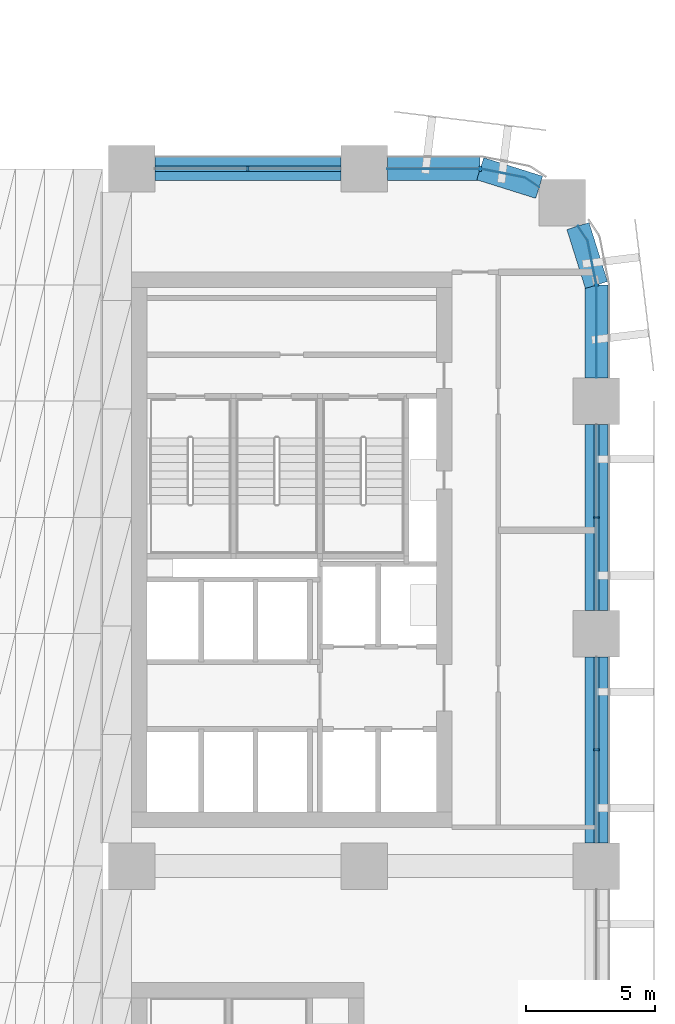
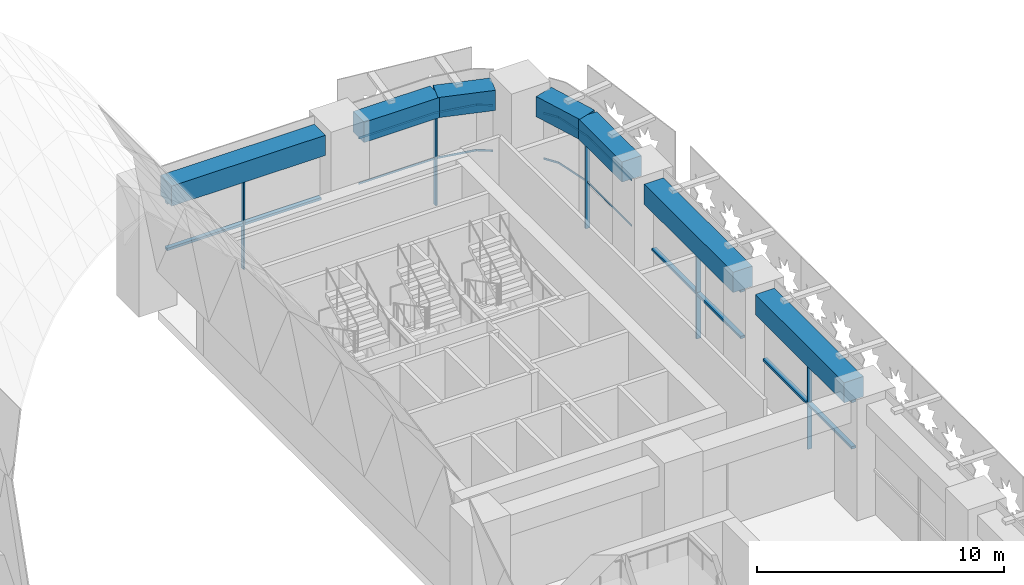
# One storey, part 9 of 46: 15 members, 7 beams, 5 elements without a shape of their own.
"""IFC4 building model written with IfcOpenShell, lengths in metres."""

from ifc_helpers import new_model, si_unit, direction, frame, origin, origin_2d, place, context, subcontext, project, spatial, polyline, rectangle, outline, extrude, material, material_profile, profile_set, type_object, element, aggregate, save


model = new_model("IFC4")

# Units and contexts
model_context = context("Model", 3, precision=1e-05, world=origin(), true_north=direction((0.0, 1.0)))
body_context = subcontext(model_context, "Body", "Model", "MODEL_VIEW")
ifc_project = project(units=[si_unit("LENGTHUNIT", "METRE"), si_unit("AREAUNIT", "SQUARE_METRE"), si_unit("VOLUMEUNIT", "CUBIC_METRE"), si_unit("PLANEANGLEUNIT", "RADIAN"), si_unit("MASSUNIT", "GRAM", prefix="KILO")], contexts=[model_context])

# Site, building, storey
site_placement = place(None, origin())
site = spatial("IfcSite", under=ifc_project, at=site_placement, CompositionType="ELEMENT")
building_placement = place(site_placement, origin())
building = spatial("IfcBuilding", under=site, at=building_placement, Name="Tessera Arch", CompositionType="ELEMENT")
storey_placement = place(building_placement, frame((0.0, 0.0, 8.0)))
storey = spatial("IfcBuildingStorey", under=building, at=storey_placement, Name="L01", CompositionType="ELEMENT", Elevation=8.0)

# Curtain wall, member
ifc_material_1 = material(Name="CW2 curtain wall")
curtain_wall_type_1 = type_object("IfcCurtainWallType", Name="CW2 curtain wall", PredefinedType="NOTDEFINED", material=ifc_material_1)
curtain_wall_1_placement = place(storey_placement, origin())
curtain_wall_1 = element("IfcCurtainWall", 1, at=curtain_wall_1_placement, inside=storey, type_object=curtain_wall_type_1, Name="CW2 curtain wall E54.0/4 L01", PredefinedType="NOTDEFINED")
ifc_material_2 = material(Name="Anodised aluminium pale metal", Category="aluminium")
ifc_material_profile_1 = material_profile(ifc_material_2, rectangle(XDim=0.199951171875, YDim=0.080078125, at=origin_2d()), Name="AL 80x200")
ifc_profile_set_1 = profile_set([ifc_material_profile_1], Name="Anodised aluminium pale metal")
member_type_1 = type_object("IfcMemberType", Name="CW2 mullion", PredefinedType="MULLION", material=ifc_profile_set_1)
member_1_placement = place(storey_placement, frame((54.0, 49.5, 0.0), z_axis=(0.0, 0.0, 1.0), x_axis=(-1.0, 0.0, 0.0)))
member_1 = element("IfcMember", 2, at=member_1_placement, type_object=member_type_1, Name="CW2 mullion E54.0/4 1", PredefinedType="MULLION", context=body_context, shape_type="SweptSolid", body=[
    extrude(rectangle(XDim=0.199951171875, YDim=0.080078125, at=origin_2d()), origin(), (0.0, 0.0, 1.0), 4.489990234375),
])

curtain_wall_2_placement = place(storey_placement, origin())
curtain_wall_2 = element("IfcCurtainWall", 3, at=curtain_wall_2_placement, inside=storey, type_object=curtain_wall_type_1, Name="CW2 curtain wall N54.36/0 L01", PredefinedType="NOTDEFINED")
member_2_placement = place(storey_placement, frame((49.5, 54.0, 0.0), z_axis=(0.0, 0.0, 1.0), x_axis=(0.0, -1.0, 0.0)))
member_2 = element("IfcMember", 4, at=member_2_placement, type_object=member_type_1, Name="CW2 mullion N54.36/0 1", PredefinedType="MULLION", context=body_context, shape_type="SweptSolid", body=[
    extrude(rectangle(XDim=0.199951171875, YDim=0.080078125, at=origin_2d()), origin(), (0.0, 0.0, 1.0), 4.489990234375),
])

# Member
ifc_material_3 = material(Name="Anodised aluminium pale metal", Category="aluminium")
ifc_material_profile_2 = material_profile(ifc_material_3, rectangle(XDim=0.199951171875, YDim=0.10009765625, at=origin_2d()), Name="AL 200x100")
ifc_profile_set_2 = profile_set([ifc_material_profile_2], Name="Anodised aluminium pale metal")
member_type_2 = type_object("IfcMemberType", Name="CW2 transom", PredefinedType="USERDEFINED", material=ifc_profile_set_2)
member_3_placement = place(storey_placement, frame((0.0, 0.0, 2.2451171875)))
member_3 = element("IfcMember", 5, at=member_3_placement, type_object=member_type_2, Name="CW2 transom E54.0/4 1", ObjectType="TRANSOM", PredefinedType="USERDEFINED", context=body_context, shape_type="SweptSolid", body=[
    extrude(outline(polyline([(53.989990234375, 49.4990234375), (53.989990234375, 45.89990234375), (54.010009765625, 45.89990234375), (54.010009765625, 49.5009765625), (53.6669921875, 51.22607421875), (53.29150390625, 51.78759765625), (53.27490234375, 51.7763671875), (53.648193359375, 51.21826171875), (53.989990234375, 49.4990234375)])), origin(), (0.0, 0.0, 1.0), 0.099853515625),
])

member_4_placement = place(storey_placement, frame((0.0, 0.0, 4.489990234375)))
member_4 = element("IfcMember", 6, at=member_4_placement, type_object=member_type_2, Name="CW2 transom E54.0/4 2", ObjectType="TRANSOM", PredefinedType="USERDEFINED", context=body_context, shape_type="SweptSolid", body=[
    extrude(outline(polyline([(53.989990234375, 49.4990234375), (53.989990234375, 45.89990234375), (54.010009765625, 45.89990234375), (54.010009765625, 49.5009765625), (53.6669921875, 51.22607421875), (53.29150390625, 51.78759765625), (53.27490234375, 51.7763671875), (53.648193359375, 51.21826171875), (53.989990234375, 49.4990234375)])), origin(), (0.0, 0.0, 1.0), 0.10009765625),
])

aggregate(curtain_wall_1, [member_1, member_3, member_4])

member_5_placement = place(storey_placement, frame((0.0, 0.0, 2.2451171875)))
member_5 = element("IfcMember", 7, at=member_5_placement, type_object=member_type_2, Name="CW2 transom N54.36/0 1", ObjectType="TRANSOM", PredefinedType="USERDEFINED", context=body_context, shape_type="SweptSolid", body=[
    extrude(outline(polyline([(51.21826171875, 53.648193359375), (51.7763671875, 53.27490234375), (51.78759765625, 53.29150390625), (51.22607421875, 53.6669921875), (49.5009765625, 54.010009765625), (45.89990234375, 54.010009765625), (45.89990234375, 53.989990234375), (49.4990234375, 53.989990234375), (51.21826171875, 53.648193359375)])), origin(), (0.0, 0.0, 1.0), 0.099853515625),
])

member_6_placement = place(storey_placement, frame((0.0, 0.0, 4.489990234375)))
member_6 = element("IfcMember", 8, at=member_6_placement, type_object=member_type_2, Name="CW2 transom N54.36/0 2", ObjectType="TRANSOM", PredefinedType="USERDEFINED", context=body_context, shape_type="SweptSolid", body=[
    extrude(outline(polyline([(51.21826171875, 53.648193359375), (51.7763671875, 53.27490234375), (51.78759765625, 53.29150390625), (51.22607421875, 53.6669921875), (49.5009765625, 54.010009765625), (45.89990234375, 54.010009765625), (45.89990234375, 53.989990234375), (49.4990234375, 53.989990234375), (51.21826171875, 53.648193359375)])), origin(), (0.0, 0.0, 1.0), 0.10009765625),
])

aggregate(curtain_wall_2, [member_2, member_5, member_6])

# Curtain wall, member
ifc_material_4 = material(Name="CW6 curtain wall")
curtain_wall_type_2 = type_object("IfcCurtainWallType", Name="CW6 curtain wall", PredefinedType="NOTDEFINED", material=ifc_material_4)
curtain_wall_3_placement = place(storey_placement, origin())
curtain_wall_3 = element("IfcCurtainWall", 9, at=curtain_wall_3_placement, inside=storey, type_object=curtain_wall_type_2, Name="CW6 curtain wall E54.0/2 L01", PredefinedType="NOTDEFINED")
ifc_material_5 = material(Name="Anodised aluminium pale metal", Category="aluminium")
ifc_material_profile_3 = material_profile(ifc_material_5, rectangle(XDim=0.199951171875, YDim=0.070068359375, at=origin_2d()), Name="AL 70x200")
ifc_profile_set_3 = profile_set([ifc_material_profile_3], Name="Anodised aluminium pale metal")
member_type_3 = type_object("IfcMemberType", Name="CW6 mullion", PredefinedType="MULLION", material=ifc_profile_set_3)
member_7_placement = place(storey_placement, frame((54.0, 31.5, 0.0), z_axis=(0.0, 0.0, 1.0), x_axis=(-1.0, 0.0, 0.0)))
member_7 = element("IfcMember", 10, at=member_7_placement, type_object=member_type_3, Name="CW6 mullion E54.0/2 1", PredefinedType="MULLION", context=body_context, shape_type="SweptSolid", body=[
    extrude(rectangle(XDim=0.199951171875, YDim=0.070068359375, at=origin_2d()), origin(), (0.0, 0.0, 1.0), 4.469970703125),
])

curtain_wall_4_placement = place(storey_placement, origin())
curtain_wall_4 = element("IfcCurtainWall", 11, at=curtain_wall_4_placement, inside=storey, type_object=curtain_wall_type_2, Name="CW6 curtain wall E54.0/3 L01", PredefinedType="NOTDEFINED")
member_8_placement = place(storey_placement, frame((54.0, 40.5, 0.0), z_axis=(0.0, 0.0, 1.0), x_axis=(-1.0, 0.0, 0.0)))
member_8 = element("IfcMember", 12, at=member_8_placement, type_object=member_type_3, Name="CW6 mullion E54.0/3 1", PredefinedType="MULLION", context=body_context, shape_type="SweptSolid", body=[
    extrude(rectangle(XDim=0.199951171875, YDim=0.070068359375, at=origin_2d()), origin(), (0.0, 0.0, 1.0), 4.469970703125),
])

curtain_wall_5_placement = place(storey_placement, origin())
curtain_wall_5 = element("IfcCurtainWall", 13, at=curtain_wall_5_placement, inside=storey, type_object=curtain_wall_type_2, Name="CW6 curtain wall N54.36/1 L01", PredefinedType="NOTDEFINED")
member_9_placement = place(storey_placement, frame((40.5, 54.0, 0.0), z_axis=(0.0, 0.0, 1.0), x_axis=(0.0, -1.0, 0.0)))
member_9 = element("IfcMember", 14, at=member_9_placement, type_object=member_type_3, Name="CW6 mullion N54.36/1 1", PredefinedType="MULLION", context=body_context, shape_type="SweptSolid", body=[
    extrude(rectangle(XDim=0.199951171875, YDim=0.070068359375, at=origin_2d()), origin(), (0.0, 0.0, 1.0), 4.469970703125),
])

# Member
ifc_material_6 = material(Name="Anodised aluminium pale metal", Category="aluminium")
ifc_material_profile_4 = material_profile(ifc_material_6, rectangle(XDim=0.199951171875, YDim=0.1201171875, at=origin_2d()), Name="AL 200x120")
ifc_profile_set_4 = profile_set([ifc_material_profile_4], Name="Anodised aluminium pale metal")
member_type_4 = type_object("IfcMemberType", Name="CW6 transom", PredefinedType="USERDEFINED", material=ifc_profile_set_4)
member_10_placement = place(storey_placement, frame((54.0, 27.89990234375, 4.530029296875), z_axis=(0.0, 1.0, 0.0), x_axis=(-1.0, 0.0, 0.0)))
member_10 = element("IfcMember", 15, at=member_10_placement, type_object=member_type_4, Name="CW6 transom E54.0/2 1.1", ObjectType="TRANSOM", PredefinedType="USERDEFINED", context=body_context, shape_type="SweptSolid", body=[
    extrude(rectangle(XDim=0.199951171875, YDim=0.1201171875, at=origin_2d()), origin(), (0.0, 0.0, 1.0), 7.2001953125),
])

member_11_placement = place(storey_placement, frame((54.0, 27.89990234375, 2.235107421875), z_axis=(0.0, 1.0, 0.0), x_axis=(-1.0, 0.0, 0.0)))
member_11 = element("IfcMember", 16, at=member_11_placement, type_object=member_type_4, Name="CW6 transom E54.0/2 2.1", ObjectType="TRANSOM", PredefinedType="USERDEFINED", context=body_context, shape_type="SweptSolid", body=[
    extrude(rectangle(XDim=0.199951171875, YDim=0.1201171875, at=origin_2d()), origin(), (0.0, 0.0, 1.0), 7.2001953125),
])

aggregate(curtain_wall_3, [member_7, member_10, member_11])

member_12_placement = place(storey_placement, frame((54.0, 36.89990234375, 4.530029296875), z_axis=(0.0, 1.0, 0.0), x_axis=(-1.0, 0.0, 0.0)))
member_12 = element("IfcMember", 17, at=member_12_placement, type_object=member_type_4, Name="CW6 transom E54.0/3 1.1", ObjectType="TRANSOM", PredefinedType="USERDEFINED", context=body_context, shape_type="SweptSolid", body=[
    extrude(rectangle(XDim=0.199951171875, YDim=0.1201171875, at=origin_2d()), origin(), (0.0, 0.0, 1.0), 7.2001953125),
])

member_13_placement = place(storey_placement, frame((54.0, 36.89990234375, 2.235107421875), z_axis=(0.0, 1.0, 0.0), x_axis=(-1.0, 0.0, 0.0)))
member_13 = element("IfcMember", 18, at=member_13_placement, type_object=member_type_4, Name="CW6 transom E54.0/3 2.1", ObjectType="TRANSOM", PredefinedType="USERDEFINED", context=body_context, shape_type="SweptSolid", body=[
    extrude(rectangle(XDim=0.199951171875, YDim=0.1201171875, at=origin_2d()), origin(), (0.0, 0.0, 1.0), 7.2001953125),
])

aggregate(curtain_wall_4, [member_8, member_12, member_13])

member_14_placement = place(storey_placement, frame((44.10009765625, 54.0, 4.530029296875), z_axis=(-1.0, 0.0, 0.0), x_axis=(0.0, -1.0, 0.0)))
member_14 = element("IfcMember", 19, at=member_14_placement, type_object=member_type_4, Name="CW6 transom N54.36/1 1.1", ObjectType="TRANSOM", PredefinedType="USERDEFINED", context=body_context, shape_type="SweptSolid", body=[
    extrude(rectangle(XDim=0.199951171875, YDim=0.1201171875, at=origin_2d()), origin(), (0.0, 0.0, 1.0), 7.2001953125),
])

member_15_placement = place(storey_placement, frame((44.10009765625, 54.0, 2.235107421875), z_axis=(-1.0, 0.0, 0.0), x_axis=(0.0, -1.0, 0.0)))
member_15 = element("IfcMember", 20, at=member_15_placement, type_object=member_type_4, Name="CW6 transom N54.36/1 2.1", ObjectType="TRANSOM", PredefinedType="USERDEFINED", context=body_context, shape_type="SweptSolid", body=[
    extrude(rectangle(XDim=0.199951171875, YDim=0.1201171875, at=origin_2d()), origin(), (0.0, 0.0, 1.0), 7.2001953125),
])

aggregate(curtain_wall_5, [member_9, member_14, member_15])

# Beams
ifc_material_7 = material(Name="Concrete C80/95", Category="concrete")
ifc_material_profile_5 = material_profile(ifc_material_7, rectangle(XDim=0.89990234375, YDim=1.0, at=origin_2d()), Name="RC spandrel beam 900 x 1000 Concrete C80/95")
ifc_profile_set_5 = profile_set([ifc_material_profile_5], Name="Concrete C80/95")
beam_type = type_object("IfcBeamType", Name="RC spandrel beam 900 x 1000 Concrete C80/95", PredefinedType="BEAM", material=ifc_profile_set_5)
for number, where, z_axis, x_axis, name in (
    (21, (54.0, 27.89990234375, 5.090087890625), (0.0, 1.0, 0.0), (-1.0, 0.0, 0.0), "Spandrel beam L01 E54.0/2"),
    (22, (54.0, 36.89990234375, 5.090087890625), (0.0, 1.0, 0.0), (-1.0, 0.0, 0.0), "Spandrel beam L01 E54.0/3"),
):
    element("IfcBeam", number, at=place(storey_placement, frame(where, z_axis=z_axis, x_axis=x_axis)), inside=storey, type_object=beam_type, Name=name, PredefinedType="BEAM", context=body_context, shape_type="SweptSolid", body=[
        extrude(rectangle(XDim=0.89990234375, YDim=1.0, at=origin_2d()), origin(), (0.0, 0.0, 1.0), 7.2001953125),
    ])
beam_1_placement = place(storey_placement, frame((54.0, 45.89990234375, 5.090087890625), z_axis=(0.0, 1.0, 0.0), x_axis=(-1.0, 0.0, 0.0)))
element("IfcBeam", 23, at=beam_1_placement, inside=storey, type_object=beam_type, Name="Spandrel beam L01 E54.0/4.1", PredefinedType="BEAM", context=body_context, shape_type="SweptSolid", body=[
    extrude(rectangle(XDim=0.89990234375, YDim=1.0, at=origin_2d()), origin(), (0.0, 0.0, 1.0), 3.60009765625),
])
for number, where, z_axis, x_axis, name in (
    (24, (54.0, 49.5, 5.090087890625), (-0.299675309057, 0.954041251279, 0.0), (-0.954041251279, -0.299675309057, 0.0), "Spandrel beam L01 E54.0/4.2"),
    (25, (51.781982421875, 53.283203125, 5.090087890625), (-0.954041251279, 0.299675309057, 0.0), (-0.299675309057, -0.954041251279, 0.0), "Spandrel beam L01 N54.36/0.1"),
):
    element("IfcBeam", number, at=place(storey_placement, frame(where, z_axis=z_axis, x_axis=x_axis)), inside=storey, type_object=beam_type, Name=name, PredefinedType="BEAM", context=body_context, shape_type="SweptSolid", body=[
        extrude(rectangle(XDim=0.89990234375, YDim=1.0, at=origin_2d()), origin(), (0.0, 0.0, 1.0), 2.391845703125),
    ])
beam_2_placement = place(storey_placement, frame((49.5, 54.0, 5.090087890625), z_axis=(-1.0, 0.0, 0.0), x_axis=(0.0, -1.0, 0.0)))
element("IfcBeam", 26, at=beam_2_placement, inside=storey, type_object=beam_type, Name="Spandrel beam L01 N54.36/0.2", PredefinedType="BEAM", context=body_context, shape_type="SweptSolid", body=[
    extrude(rectangle(XDim=0.89990234375, YDim=1.0, at=origin_2d()), origin(), (0.0, 0.0, 1.0), 3.60009765625),
])
beam_3_placement = place(storey_placement, frame((44.10009765625, 54.0, 5.090087890625), z_axis=(-1.0, 0.0, 0.0), x_axis=(0.0, -1.0, 0.0)))
element("IfcBeam", 27, at=beam_3_placement, inside=storey, type_object=beam_type, Name="Spandrel beam L01 N54.36/1", PredefinedType="BEAM", context=body_context, shape_type="SweptSolid", body=[
    extrude(rectangle(XDim=0.89990234375, YDim=1.0, at=origin_2d()), origin(), (0.0, 0.0, 1.0), 7.2001953125),
])

save(model, "model.ifc")
